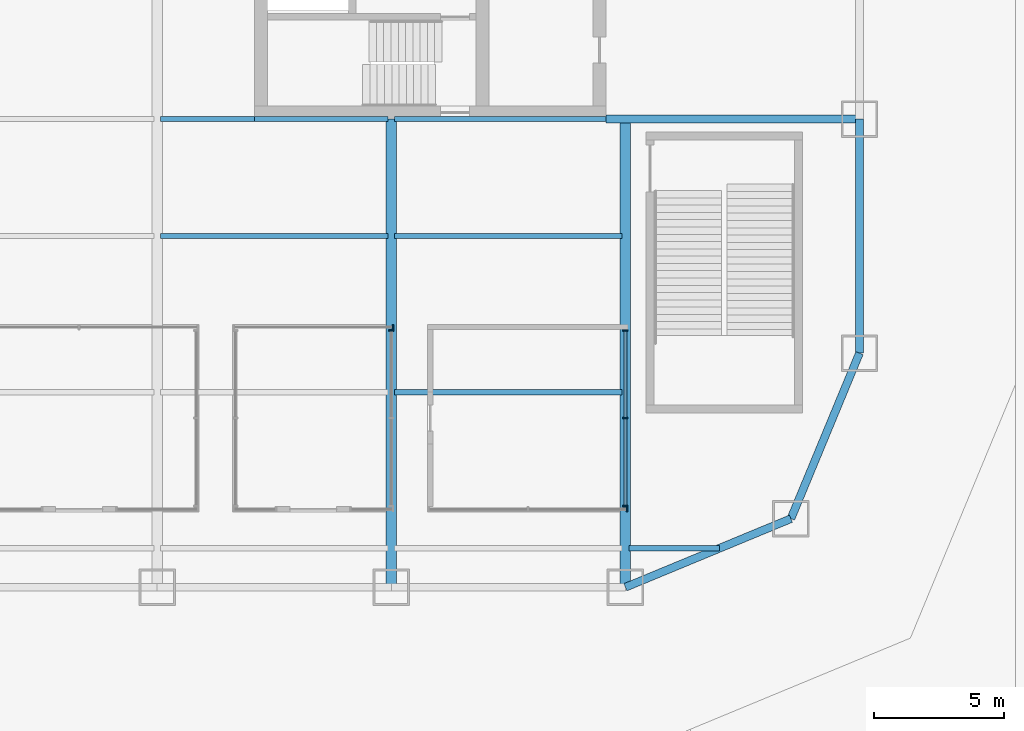
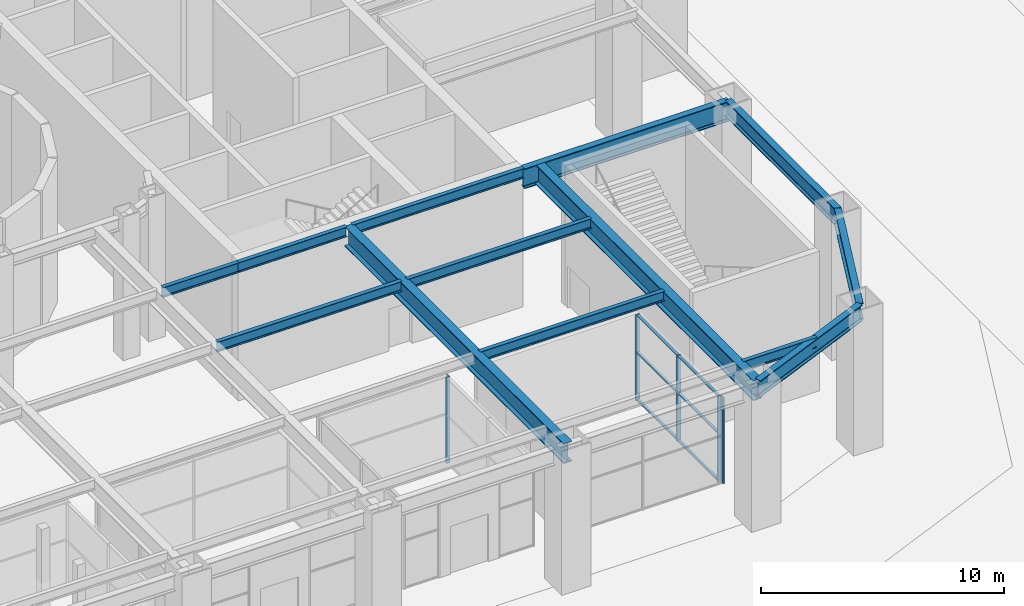
# One storey, part 5 of 20: 13 beams, 12 members, 4 elements without a shape of their own.
"""IFC4 building model written with IfcOpenShell, lengths in metres."""

from ifc_helpers import new_model, si_unit, direction, frame, origin, origin_2d, place, context, subcontext, project, spatial, rectangle, i_section, extrude, material, layer, layer_set, material_profile, profile_set, type_object, element, aggregate, save


model = new_model("IFC4")

# Units and contexts
model_context = context("Model", 3, precision=1e-05, world=origin(), true_north=direction((0.0, 1.0)))
body_context = subcontext(model_context, "Body", "Model", "MODEL_VIEW")
ifc_project = project(units=[si_unit("LENGTHUNIT", "METRE"), si_unit("AREAUNIT", "SQUARE_METRE"), si_unit("VOLUMEUNIT", "CUBIC_METRE"), si_unit("PLANEANGLEUNIT", "RADIAN"), si_unit("MASSUNIT", "GRAM", prefix="KILO")], contexts=[model_context])

# Site, building, storey
site_placement = place(None, origin())
site = spatial("IfcSite", under=ifc_project, at=site_placement, CompositionType="ELEMENT")
building_placement = place(site_placement, origin())
building = spatial("IfcBuilding", under=site, at=building_placement, Name="Siwar Civic Tower", CompositionType="ELEMENT")
storey_placement = place(building_placement, origin())
storey = spatial("IfcBuildingStorey", under=building, at=storey_placement, Name="L00", CompositionType="ELEMENT", Elevation=0.0)

# Curtain wall, member
ifc_material_1 = material(Name="Aluminium and glass", Category="aluminium")
ifc_layer = layer(ifc_material_1, 0.199951171875)
ifc_layer_set = layer_set([ifc_layer], Name="Aluminium and glass")
curtain_wall_type = type_object("IfcCurtainWallType", Name="GND-CWG", PredefinedType="NOTDEFINED", material=ifc_layer_set)
curtain_wall_1_placement = place(storey_placement, origin())
curtain_wall_1 = element("IfcCurtainWall", 1, at=curtain_wall_1_placement, inside=storey, type_object=curtain_wall_type, Name="Glazed screen P04", PredefinedType="NOTDEFINED")
ifc_material_2 = material(Name="Aluminium", Category="aluminium")
ifc_material_profile_1 = material_profile(ifc_material_2, rectangle(XDim=0.199951171875, YDim=0.06005859375, at=origin_2d()), Name="AL 200x60")
ifc_profile_set_1 = profile_set([ifc_material_profile_1], Name="Aluminium")
member_type_1 = type_object("IfcMemberType", Name="GND-CWG-MULLION", PredefinedType="MULLION", material=ifc_profile_set_1)
member_1_placement = place(storey_placement, frame((13.5, -21.6298828125, 0.0), z_axis=(0.0, 0.0, 1.0), x_axis=(-1.0, 0.0, 0.0)))
member_1 = element("IfcMember", 2, at=member_1_placement, type_object=member_type_1, Name="CW-G mullion 3", PredefinedType="MULLION", context=body_context, shape_type="SweptSolid", body=[
    extrude(rectangle(XDim=0.199951171875, YDim=0.06005859375, at=origin_2d()), origin(), (0.0, 0.0, 1.0), 4.300048828125),
])
aggregate(curtain_wall_1, [member_1])

curtain_wall_2_placement = place(storey_placement, origin())
curtain_wall_2 = element("IfcCurtainWall", 3, at=curtain_wall_2_placement, inside=storey, type_object=curtain_wall_type, Name="Glazed screen P04", PredefinedType="NOTDEFINED")
member_2_placement = place(storey_placement, frame((13.570068359375, -21.5, 0.0), z_axis=(0.0, 0.0, 1.0), x_axis=(0.0, 1.0, 0.0)))
member_2 = element("IfcMember", 4, at=member_2_placement, type_object=member_type_1, Name="CW-G mullion 2", PredefinedType="MULLION", context=body_context, shape_type="SweptSolid", body=[
    extrude(rectangle(XDim=0.199951171875, YDim=0.06005859375, at=origin_2d()), origin(), (0.0, 0.0, 1.0), 4.300048828125),
])
aggregate(curtain_wall_2, [member_2])

curtain_wall_3_placement = place(storey_placement, origin())
curtain_wall_3 = element("IfcCurtainWall", 5, at=curtain_wall_3_placement, inside=storey, type_object=curtain_wall_type, Name="Glazed screen P11", PredefinedType="NOTDEFINED")
member_3_placement = place(storey_placement, frame((22.570068359375, -28.5, 0.0), z_axis=(0.0, 0.0, 1.0), x_axis=(0.0, 1.0, 0.0)))
member_3 = element("IfcMember", 6, at=member_3_placement, type_object=member_type_1, Name="CW-G mullion 3", PredefinedType="MULLION", context=body_context, shape_type="SweptSolid", body=[
    extrude(rectangle(XDim=0.199951171875, YDim=0.06005859375, at=origin_2d()), origin(), (0.0, 0.0, 1.0), 4.300048828125),
])
aggregate(curtain_wall_3, [member_3])

# Curtain wall, members
curtain_wall_4_placement = place(storey_placement, origin())
curtain_wall_4 = element("IfcCurtainWall", 7, at=curtain_wall_4_placement, inside=storey, type_object=curtain_wall_type, Name="Glazed screen P11", PredefinedType="NOTDEFINED")
member_4_placement = place(storey_placement, frame((22.5, -28.3701171875, 0.0), z_axis=(0.0, 0.0, 1.0), x_axis=(-1.0, 0.0, 0.0)))
member_4 = element("IfcMember", 8, at=member_4_placement, type_object=member_type_1, Name="CW-G mullion 1", PredefinedType="MULLION", context=body_context, shape_type="SweptSolid", body=[
    extrude(rectangle(XDim=0.199951171875, YDim=0.06005859375, at=origin_2d()), origin(), (0.0, 0.0, 1.0), 4.300048828125),
])
member_5_placement = place(storey_placement, frame((22.5, -25.0, 0.0), z_axis=(0.0, 0.0, 1.0), x_axis=(-1.0, 0.0, 0.0)))
member_5 = element("IfcMember", 9, at=member_5_placement, type_object=member_type_1, Name="CW-G mullion 2", PredefinedType="MULLION", context=body_context, shape_type="SweptSolid", body=[
    extrude(rectangle(XDim=0.199951171875, YDim=0.06005859375, at=origin_2d()), origin(), (0.0, 0.0, 1.0), 4.300048828125),
])
member_6_placement = place(storey_placement, frame((22.5, -21.6298828125, 0.0), z_axis=(0.0, 0.0, 1.0), x_axis=(-1.0, 0.0, 0.0)))
member_6 = element("IfcMember", 10, at=member_6_placement, type_object=member_type_1, Name="CW-G mullion 3", PredefinedType="MULLION", context=body_context, shape_type="SweptSolid", body=[
    extrude(rectangle(XDim=0.199951171875, YDim=0.06005859375, at=origin_2d()), origin(), (0.0, 0.0, 1.0), 4.300048828125),
])
ifc_material_3 = material(Name="Aluminium", Category="aluminium")
ifc_material_profile_2 = material_profile(ifc_material_3, rectangle(XDim=0.1201171875, YDim=0.06005859375, at=origin_2d()), Name="AL 120x60")
ifc_profile_set_2 = profile_set([ifc_material_profile_2], Name="Aluminium")
member_type_2 = type_object("IfcMemberType", Name="GND-CWG-TRANSOM", PredefinedType="USERDEFINED", material=ifc_profile_set_2)
member_7_placement = place(storey_placement, frame((22.5, -28.340087890625, 0.030029296875), z_axis=(0.0, 1.0, 0.0), x_axis=(-1.0, 0.0, 0.0)))
member_7 = element("IfcMember", 11, at=member_7_placement, type_object=member_type_2, Name="CW-G transom 1.1", ObjectType="TRANSOM", PredefinedType="USERDEFINED", context=body_context, shape_type="SweptSolid", body=[
    extrude(rectangle(XDim=0.1201171875, YDim=0.06005859375, at=origin_2d()), origin(), (0.0, 0.0, 1.0), 3.31005859375),
])
member_8_placement = place(storey_placement, frame((22.5, -28.340087890625, 2.39990234375), z_axis=(0.0, 1.0, 0.0), x_axis=(-1.0, 0.0, 0.0)))
member_8 = element("IfcMember", 12, at=member_8_placement, type_object=member_type_2, Name="CW-G transom 1.2", ObjectType="TRANSOM", PredefinedType="USERDEFINED", context=body_context, shape_type="SweptSolid", body=[
    extrude(rectangle(XDim=0.1201171875, YDim=0.06005859375, at=origin_2d()), origin(), (0.0, 0.0, 1.0), 3.31005859375),
])
member_9_placement = place(storey_placement, frame((22.5, -28.340087890625, 4.27001953125), z_axis=(0.0, 1.0, 0.0), x_axis=(-1.0, 0.0, 0.0)))
member_9 = element("IfcMember", 13, at=member_9_placement, type_object=member_type_2, Name="CW-G transom 1.3", ObjectType="TRANSOM", PredefinedType="USERDEFINED", context=body_context, shape_type="SweptSolid", body=[
    extrude(rectangle(XDim=0.1201171875, YDim=0.06005859375, at=origin_2d()), origin(), (0.0, 0.0, 1.0), 3.31005859375),
])
member_10_placement = place(storey_placement, frame((22.5, -24.969970703125, 0.030029296875), z_axis=(0.0, 1.0, 0.0), x_axis=(-1.0, 0.0, 0.0)))
member_10 = element("IfcMember", 14, at=member_10_placement, type_object=member_type_2, Name="CW-G transom 2.1", ObjectType="TRANSOM", PredefinedType="USERDEFINED", context=body_context, shape_type="SweptSolid", body=[
    extrude(rectangle(XDim=0.1201171875, YDim=0.06005859375, at=origin_2d()), origin(), (0.0, 0.0, 1.0), 3.31005859375),
])
member_11_placement = place(storey_placement, frame((22.5, -24.969970703125, 2.39990234375), z_axis=(0.0, 1.0, 0.0), x_axis=(-1.0, 0.0, 0.0)))
member_11 = element("IfcMember", 15, at=member_11_placement, type_object=member_type_2, Name="CW-G transom 2.2", ObjectType="TRANSOM", PredefinedType="USERDEFINED", context=body_context, shape_type="SweptSolid", body=[
    extrude(rectangle(XDim=0.1201171875, YDim=0.06005859375, at=origin_2d()), origin(), (0.0, 0.0, 1.0), 3.31005859375),
])
member_12_placement = place(storey_placement, frame((22.5, -24.969970703125, 4.27001953125), z_axis=(0.0, 1.0, 0.0), x_axis=(-1.0, 0.0, 0.0)))
member_12 = element("IfcMember", 16, at=member_12_placement, type_object=member_type_2, Name="CW-G transom 2.3", ObjectType="TRANSOM", PredefinedType="USERDEFINED", context=body_context, shape_type="SweptSolid", body=[
    extrude(rectangle(XDim=0.1201171875, YDim=0.06005859375, at=origin_2d()), origin(), (0.0, 0.0, 1.0), 3.31005859375),
])
aggregate(curtain_wall_4, [member_4, member_5, member_6, member_7, member_8, member_9, member_10, member_11, member_12])

# Beams
ifc_material_4 = material(Name="Steel S355", Category="steel")
ifc_material_profile_3 = material_profile(ifc_material_4, i_section(OverallWidth=0.199951171875, OverallDepth=0.5, WebThickness=0.01025390625, FlangeThickness=0.01611328125, FilletRadius=0.02099609375, at=origin_2d()), Name="IPE500")
ifc_profile_set_3 = profile_set([ifc_material_profile_3], Name="Steel S355")
beam_type_1 = type_object("IfcBeamType", Name="STR-FB-IPE500", PredefinedType="JOIST", material=ifc_profile_set_3)
beam_1_placement = place(storey_placement, frame((22.6298828125, -30.0, 6.75), z_axis=(1.0, 0.0, 0.0), x_axis=(0.0, 1.0, 0.0)))
element("IfcBeam", 17, at=beam_1_placement, inside=storey, type_object=beam_type_1, Name="L00/bm/F007", PredefinedType="JOIST", context=body_context, shape_type="SweptSolid", body=[
    extrude(i_section(OverallWidth=0.199951171875, OverallDepth=0.5, WebThickness=0.01025390625, FlangeThickness=0.01611328125, FilletRadius=0.02099609375, at=origin_2d()), origin(), (0.0, 0.0, 1.0), 3.491455078125),
])
for number, where, z_axis, x_axis, name in (
    (18, (13.6298828125, -24.0, 6.75), (1.0, 0.0, 0.0), (0.0, 1.0, 0.0), "L00/bm/F012"),
    (19, (4.6298828125, -18.0, 6.75), (1.0, 0.0, 0.0), (0.0, 1.0, 0.0), "L00/bm/F017"),
    (20, (13.6298828125, -18.0, 6.75), (1.0, 0.0, 0.0), (0.0, 1.0, 0.0), "L00/bm/F018"),
):
    element("IfcBeam", number, at=place(storey_placement, frame(where, z_axis=z_axis, x_axis=x_axis)), inside=storey, type_object=beam_type_1, Name=name, PredefinedType="JOIST", context=body_context, shape_type="SweptSolid", body=[
        extrude(i_section(OverallWidth=0.199951171875, OverallDepth=0.5, WebThickness=0.01025390625, FlangeThickness=0.01611328125, FilletRadius=0.02099609375, at=origin_2d()), origin(), (0.0, 0.0, 1.0), 8.740234375),
    ])
beam_2_placement = place(storey_placement, frame((4.6298828125, -13.5, 6.75), z_axis=(1.0, 0.0, 0.0), x_axis=(0.0, 1.0, 0.0)))
element("IfcBeam", 21, at=beam_2_placement, inside=storey, type_object=beam_type_1, Name="L00/bm/F024", PredefinedType="JOIST", context=body_context, shape_type="SweptSolid", body=[
    extrude(i_section(OverallWidth=0.199951171875, OverallDepth=0.5, WebThickness=0.01025390625, FlangeThickness=0.01611328125, FilletRadius=0.02099609375, at=origin_2d()), origin(), (0.0, 0.0, 1.0), 3.6201171875),
])
beam_3_placement = place(storey_placement, frame((8.25, -13.5, 6.75), z_axis=(1.0, 0.0, 0.0), x_axis=(0.0, 1.0, 0.0)))
element("IfcBeam", 22, at=beam_3_placement, inside=storey, type_object=beam_type_1, Name="L00/bm/F025", PredefinedType="JOIST", context=body_context, shape_type="SweptSolid", body=[
    extrude(i_section(OverallWidth=0.199951171875, OverallDepth=0.5, WebThickness=0.01025390625, FlangeThickness=0.01611328125, FilletRadius=0.02099609375, at=origin_2d()), origin(), (0.0, 0.0, 1.0), 5.1201171875),
])
beam_4_placement = place(storey_placement, frame((13.6298828125, -13.5, 6.75), z_axis=(1.0, 0.0, 0.0), x_axis=(0.0, 1.0, 0.0)))
element("IfcBeam", 23, at=beam_4_placement, inside=storey, type_object=beam_type_1, Name="L00/bm/F026", PredefinedType="JOIST", context=body_context, shape_type="SweptSolid", body=[
    extrude(i_section(OverallWidth=0.199951171875, OverallDepth=0.5, WebThickness=0.01025390625, FlangeThickness=0.01611328125, FilletRadius=0.02099609375, at=origin_2d()), origin(), (0.0, 0.0, 1.0), 8.1201171875),
])
ifc_material_5 = material(Name="Steel S355", Category="steel")
ifc_material_profile_4 = material_profile(ifc_material_5, i_section(OverallWidth=0.300048828125, OverallDepth=1.0, WebThickness=0.01904296875, FlangeThickness=0.035888671875, FilletRadius=0.030029296875, at=origin_2d()), Name="HEB1000")
ifc_profile_set_4 = profile_set([ifc_material_profile_4], Name="Steel S355")
beam_type_2 = type_object("IfcBeamType", Name="STR-PG-HEB1000", PredefinedType="BEAM", material=ifc_profile_set_4)
beam_5_placement = place(storey_placement, frame((21.75, -13.5, 6.5), z_axis=(1.0, 0.0, 0.0), x_axis=(0.0, 1.0, 0.0)))
element("IfcBeam", 24, at=beam_5_placement, inside=storey, type_object=beam_type_2, Name="L00/bm/F027", PredefinedType="BEAM", context=body_context, shape_type="SweptSolid", body=[
    extrude(i_section(OverallWidth=0.300048828125, OverallDepth=1.0, WebThickness=0.01904296875, FlangeThickness=0.035888671875, FilletRadius=0.030029296875, at=origin_2d()), origin(), (0.0, 0.0, 1.0), 9.75),
])
ifc_material_6 = material(Name="Steel S355", Category="steel")
ifc_material_profile_5 = material_profile(ifc_material_6, i_section(OverallWidth=0.39990234375, OverallDepth=1.0, WebThickness=0.01611328125, FlangeThickness=0.0400390625, at=origin_2d()), Name="PG1000x400x16x40")
ifc_profile_set_5 = profile_set([ifc_material_profile_5], Name="Steel S355")
beam_type_3 = type_object("IfcBeamType", Name="STR-PG-PG1000x400x16x40", PredefinedType="BEAM", material=ifc_profile_set_5)
for number, where, z_axis, x_axis, name in (
    (25, (13.5, -31.5, 6.5), (0.0, 1.0, 0.0), (-1.0, 0.0, 0.0), "L00/bm/G09"),
    (26, (22.5, -31.5, 6.5), (0.0, 1.0, 0.0), (-1.0, 0.0, 0.0), "L00/bm/G11"),
):
    element("IfcBeam", number, at=place(storey_placement, frame(where, z_axis=z_axis, x_axis=x_axis)), inside=storey, type_object=beam_type_3, Name=name, PredefinedType="BEAM", context=body_context, shape_type="SweptSolid", body=[
        extrude(i_section(OverallWidth=0.39990234375, OverallDepth=1.0, WebThickness=0.01611328125, FlangeThickness=0.0400390625, at=origin_2d()), origin(), (0.0, 0.0, 1.0), 18.0),
    ])
ifc_material_7 = material(Name="Steel S355", Category="steel")
ifc_material_profile_6 = material_profile(ifc_material_7, i_section(OverallWidth=0.302978515625, OverallDepth=0.81396484375, WebThickness=0.02099609375, FlangeThickness=0.0400390625, FilletRadius=0.030029296875, at=origin_2d()), Name="HEM800")
ifc_profile_set_6 = profile_set([ifc_material_profile_6], Name="Steel S355")
beam_type_4 = type_object("IfcBeamType", Name="STR-SB-HEM800", PredefinedType="BEAM", material=ifc_profile_set_6)
for number, where, z_axis, x_axis, name in (
    (27, (22.5, -31.5, 6.593017578125), (0.923883353507, 0.382674207535, 0.0), (-0.382674207535, 0.923883353507, 0.0), "L00/bm/SSE1-0"),
    (28, (28.864013671875, -28.864013671875, 6.593017578125), (0.382674207535, 0.923883353507, 0.0), (-0.923883353507, 0.382674207535, 0.0), "L00/bm/SSE2-0"),
):
    element("IfcBeam", number, at=place(storey_placement, frame(where, z_axis=z_axis, x_axis=x_axis)), inside=storey, type_object=beam_type_4, Name=name, PredefinedType="BEAM", context=body_context, shape_type="SweptSolid", body=[
        extrude(i_section(OverallWidth=0.302978515625, OverallDepth=0.81396484375, WebThickness=0.02099609375, FlangeThickness=0.0400390625, FilletRadius=0.030029296875, at=origin_2d()), origin(), (0.0, 0.0, 1.0), 6.888427734375),
    ])
beam_6_placement = place(storey_placement, frame((31.5, -22.5, 6.593017578125), z_axis=(0.0, 1.0, 0.0), x_axis=(-1.0, 0.0, 0.0)))
element("IfcBeam", 29, at=beam_6_placement, inside=storey, type_object=beam_type_4, Name="L00/bm/SE-0", PredefinedType="BEAM", context=body_context, shape_type="SweptSolid", body=[
    extrude(i_section(OverallWidth=0.302978515625, OverallDepth=0.81396484375, WebThickness=0.02099609375, FlangeThickness=0.0400390625, FilletRadius=0.030029296875, at=origin_2d()), origin(), (0.0, 0.0, 1.0), 9.0),
])

save(model, "model.ifc")
